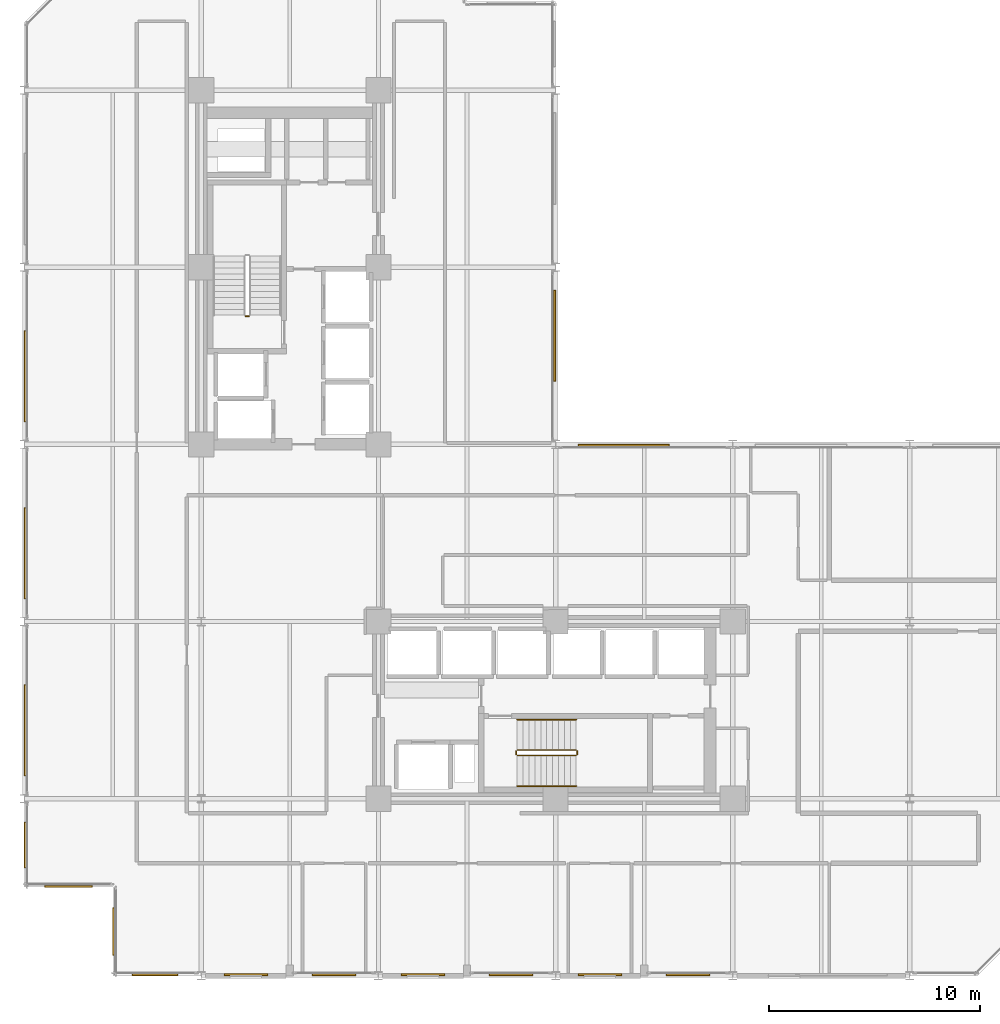
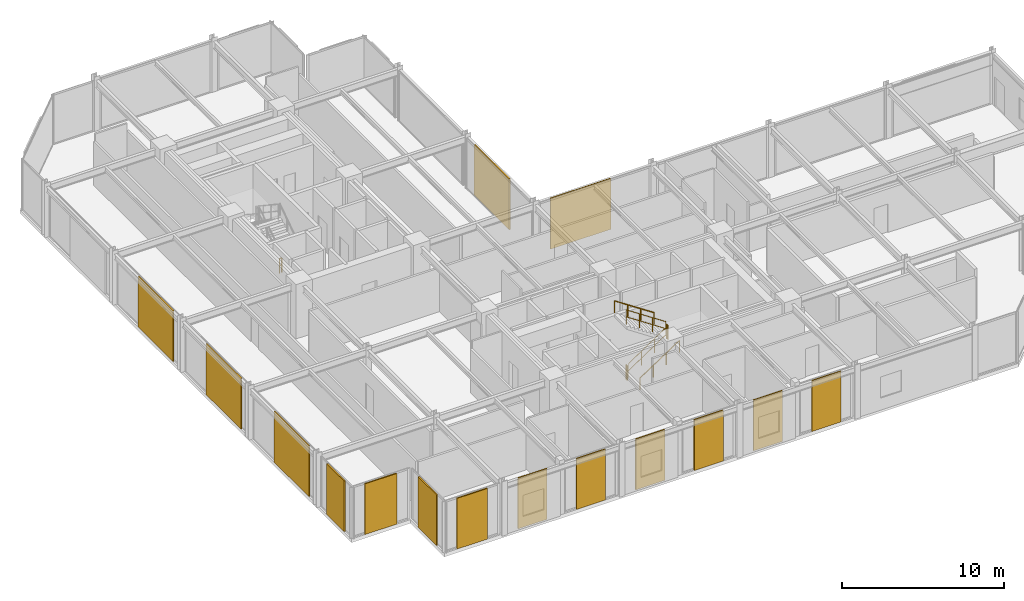
# One storey, part 36 of 38: 15 coverings, 7 railings.
"""IFC4 building model written with IfcOpenShell, lengths in metres."""

from ifc_helpers import new_model, si_unit, direction, frame, origin, origin_2d, place, context, subcontext, project, spatial, rectangle, circle, extrude, material, layer, layer_set, type_object, element, save


model = new_model("IFC4")

# Units and contexts
model_context = context("Model", 3, precision=1e-05, world=origin(), true_north=direction((0.0, 1.0)))
body_context = subcontext(model_context, "Body", "Model", "MODEL_VIEW")
ifc_project = project(units=[si_unit("LENGTHUNIT", "METRE"), si_unit("AREAUNIT", "SQUARE_METRE"), si_unit("VOLUMEUNIT", "CUBIC_METRE"), si_unit("PLANEANGLEUNIT", "RADIAN"), si_unit("MASSUNIT", "GRAM", prefix="KILO")], contexts=[model_context])

# Site, building, storey
site_placement = place(None, origin())
site = spatial("IfcSite", under=ifc_project, at=site_placement, CompositionType="ELEMENT")
building_placement = place(site_placement, origin())
building = spatial("IfcBuilding", under=site, at=building_placement, Name="Nerrivon Quay Data Exchange", CompositionType="ELEMENT")
storey_placement = place(building_placement, frame((0.0, 0.0, 88.5)))
storey = spatial("IfcBuildingStorey", under=building, at=storey_placement, Name="L20", CompositionType="ELEMENT", Elevation=88.5)

# Coverings
ifc_material_1 = material(Name="Architectural terracotta ceramic", Category="masonry")
ifc_layer = layer(ifc_material_1, 0.090087890625)
ifc_layer_set = layer_set([ifc_layer], Name="Architectural terracotta ceramic")
covering_type = type_object("IfcCoveringType", Name="COV-SCR-TERR", PredefinedType="CLADDING", material=ifc_layer_set)
covering_1_placement = place(storey_placement, frame((31.487548828125, 0.044921875, 0.0), z_axis=(0.0, 0.0, 1.0), x_axis=(-1.0, 0.0, 0.0)))
element("IfcCovering", 1, at=covering_1_placement, inside=storey, type_object=covering_type, Name="L20 Perforated Terracotta SOLAR SCREEN Cassette", PredefinedType="CLADDING", context=body_context, shape_type="SweptSolid", body=[
    extrude(rectangle(XDim=2.06494140625, YDim=0.090087890625, at=origin_2d()), origin(), (0.0, 0.0, 1.0), 3.824951171875),
])
covering_2_placement = place(storey_placement, frame((27.3125, 0.044921875, 0.0), z_axis=(0.0, 0.0, 1.0), x_axis=(-1.0, 0.0, 0.0)))
element("IfcCovering", 2, at=covering_2_placement, inside=storey, type_object=covering_type, Name="L20 Perforated Terracotta SOLAR SCREEN Cassette", PredefinedType="CLADDING", context=body_context, shape_type="SweptSolid", body=[
    extrude(rectangle(XDim=2.06591796875, YDim=0.090087890625, at=origin_2d()), origin(), (0.0, 0.0, 1.0), 3.824951171875),
])
for number, where, z_axis, x_axis, name in (
    (3, (23.08740234375, 0.044921875, 0.0), (0.0, 0.0, 1.0), (-1.0, 0.0, 0.0), "L20 Perforated Terracotta SOLAR SCREEN Cassette"),
    (4, (18.91259765625, 0.044921875, 0.0), (0.0, 0.0, 1.0), (-1.0, 0.0, 0.0), "L20 Perforated Terracotta SOLAR SCREEN Cassette"),
):
    element("IfcCovering", number, at=place(storey_placement, frame(where, z_axis=z_axis, x_axis=x_axis)), inside=storey, type_object=covering_type, Name=name, PredefinedType="CLADDING", context=body_context, shape_type="SweptSolid", body=[
        extrude(rectangle(XDim=2.06494140625, YDim=0.090087890625, at=origin_2d()), origin(), (0.0, 0.0, 1.0), 3.824951171875),
    ])
for number, where, z_axis, x_axis, name in (
    (5, (14.6875, 0.044921875, 0.0), (0.0, 0.0, 1.0), (-1.0, 0.0, 0.0), "L20 Perforated Terracotta SOLAR SCREEN Cassette"),
    (6, (10.512451171875, 0.044921875, 0.0), (0.0, 0.0, 1.0), (-1.0, 0.0, 0.0), "L20 Perforated Terracotta SOLAR SCREEN Cassette"),
):
    element("IfcCovering", number, at=place(storey_placement, frame(where, z_axis=z_axis, x_axis=x_axis)), inside=storey, type_object=covering_type, Name=name, PredefinedType="CLADDING", context=body_context, shape_type="SweptSolid", body=[
        extrude(rectangle(XDim=2.06591796875, YDim=0.090087890625, at=origin_2d()), origin(), (0.0, 0.0, 1.0), 3.824951171875),
    ])
covering_3_placement = place(storey_placement, frame((6.199951171875, 0.044921875, 0.0), z_axis=(0.0, 0.0, 1.0), x_axis=(-1.0, 0.0, 0.0)))
element("IfcCovering", 7, at=covering_3_placement, inside=storey, type_object=covering_type, Name="L20 Perforated Terracotta SOLAR SCREEN Cassette", PredefinedType="CLADDING", context=body_context, shape_type="SweptSolid", body=[
    extrude(rectangle(XDim=2.159912109375, YDim=0.090087890625, at=origin_2d()), origin(), (0.0, 0.0, 1.0), 3.824951171875),
])
for number, where, z_axis, x_axis, name in (
    (8, (4.2451171875, 2.10009765625, 0.0), (0.0, 0.0, 1.0), (0.0, 1.0, 0.0), "L20 Perforated Terracotta SOLAR SCREEN Cassette"),
    (9, (2.10009765625, 4.2451171875, 0.0), (0.0, 0.0, 1.0), (-1.0, 0.0, 0.0), "L20 Perforated Terracotta SOLAR SCREEN Cassette"),
):
    element("IfcCovering", number, at=place(storey_placement, frame(where, z_axis=z_axis, x_axis=x_axis)), inside=storey, type_object=covering_type, Name=name, PredefinedType="CLADDING", context=body_context, shape_type="SweptSolid", body=[
        extrude(rectangle(XDim=2.26806640625, YDim=0.090087890625, at=origin_2d()), origin(), (0.0, 0.0, 1.0), 3.824951171875),
    ])
covering_4_placement = place(storey_placement, frame((0.044921875, 6.199951171875, 0.0), z_axis=(0.0, 0.0, 1.0), x_axis=(0.0, 1.0, 0.0)))
element("IfcCovering", 10, at=covering_4_placement, inside=storey, type_object=covering_type, Name="L20 Perforated Terracotta SOLAR SCREEN Cassette", PredefinedType="CLADDING", context=body_context, shape_type="SweptSolid", body=[
    extrude(rectangle(XDim=2.159912109375, YDim=0.090087890625, at=origin_2d()), origin(), (0.0, 0.0, 1.0), 3.824951171875),
])
for number, where, z_axis, x_axis, name in (
    (11, (0.044921875, 11.639892578125, 0.0), (0.0, 0.0, 1.0), (0.0, 1.0, 0.0), "L20 Perforated Terracotta SOLAR SCREEN Cassette"),
    (12, (0.044921875, 20.0400390625, 0.0), (0.0, 0.0, 1.0), (0.0, 1.0, 0.0), "L20 Perforated Terracotta SOLAR SCREEN Cassette"),
    (13, (0.044921875, 28.43994140625, 0.0), (0.0, 0.0, 1.0), (0.0, 1.0, 0.0), "L20 Perforated Terracotta SOLAR SCREEN Cassette"),
    (14, (25.155029296875, 30.360107421875, 0.0), (0.0, 0.0, 1.0), (0.0, -1.0, 0.0), "L20 Perforated Terracotta SOLAR SCREEN Cassette"),
    (15, (28.43994140625, 25.155029296875, 0.0), (0.0, 0.0, 1.0), (1.0, 0.0, 0.0), "L20 Perforated Terracotta SOLAR SCREEN Cassette"),
):
    element("IfcCovering", number, at=place(storey_placement, frame(where, z_axis=z_axis, x_axis=x_axis)), inside=storey, type_object=covering_type, Name=name, PredefinedType="CLADDING", context=body_context, shape_type="SweptSolid", body=[
        extrude(rectangle(XDim=4.320068359375, YDim=0.090087890625, at=origin_2d()), origin(), (0.0, 0.0, 1.0), 3.824951171875),
    ])

# Railings
ifc_material_2 = material(Name="Steel Grade C350L0 (350 MPa)", Category="steel")
railing_type_1 = type_object("IfcRailingType", Name="RAIL-HAND-HR1", PredefinedType="HANDRAIL", material=ifc_material_2)
railing_1_placement = place(storey_placement, frame((23.3798828125, 9.0, 0.186279296875)))
element("IfcRailing", 16, at=railing_1_placement, inside=storey, type_object=railing_type_1, Name="L20 ST02 stair handrail 1", PredefinedType="HANDRAIL", context=body_context, shape_type="SweptSolid", body=[
    extrude(circle(Radius=0.02392578125, at=origin_2d()), frame((0.0, 0.0, 0.8759765625), z_axis=(0.832452072856, 0.0, 0.554097055034), x_axis=(0.0, 1.0, 0.0)), (0.0, 0.0, 1.0), 3.363525390625),
    extrude(circle(Radius=0.02099609375, at=origin_2d()), origin(), (0.0, 0.0, 1.0), 0.851806640625),
    extrude(circle(Radius=0.02099609375, at=origin_2d()), frame((0.933349609375, 0.0, 0.621337890625)), (0.0, 0.0, 1.0), 0.851806640625),
    extrude(circle(Radius=0.02099609375, at=origin_2d()), frame((1.86669921875, 0.0, 1.242431640625)), (0.0, 0.0, 1.0), 0.851806640625),
    extrude(circle(Radius=0.02099609375, at=origin_2d()), frame((2.800048828125, 0.0, 1.86376953125)), (0.0, 0.0, 1.0), 0.851806640625),
])
railing_2_placement = place(storey_placement, frame((26.179931640625, 12.14990234375, 2.236328125)))
element("IfcRailing", 17, at=railing_2_placement, inside=storey, type_object=railing_type_1, Name="L20 ST02 stair handrail 2", PredefinedType="HANDRAIL", context=body_context, shape_type="SweptSolid", body=[
    extrude(circle(Radius=0.02392578125, at=origin_2d()), frame((0.0, 0.0, 0.8759765625), z_axis=(-0.832452072856, 0.0, 0.554097055034), x_axis=(0.0, -1.0, 0.0)), (0.0, 0.0, 1.0), 3.363525390625),
    extrude(circle(Radius=0.02099609375, at=origin_2d()), origin(), (0.0, 0.0, 1.0), 0.851806640625),
    extrude(circle(Radius=0.02099609375, at=origin_2d()), frame((-0.933349609375, 0.0, 0.621337890625)), (0.0, 0.0, 1.0), 0.851806640625),
    extrude(circle(Radius=0.02099609375, at=origin_2d()), frame((-1.86669921875, 0.0, 1.242431640625)), (0.0, 0.0, 1.0), 0.851806640625),
    extrude(circle(Radius=0.02099609375, at=origin_2d()), frame((-2.800048828125, 0.0, 1.86376953125)), (0.0, 0.0, 1.0), 0.851806640625),
])
railing_type_2 = type_object("IfcRailingType", Name="RAIL-STAIR-GR1", PredefinedType="BALUSTRADE", material=ifc_material_2)
railing_3_placement = place(storey_placement, frame((10.64990234375, 31.280029296875, 0.0)))
element("IfcRailing", 18, at=railing_3_placement, inside=storey, type_object=railing_type_2, Name="L20 ST01 stair guard 4", PredefinedType="BALUSTRADE", context=body_context, shape_type="SweptSolid", body=[
    extrude(circle(Radius=0.02392578125, at=origin_2d()), frame((0.0, 0.0, 1.076171875), z_axis=(-1.0, 0.0, 0.0), x_axis=(0.0, -1.0, 0.0)), (0.0, 0.0, 1.0), 0.14990234375),
    extrude(circle(Radius=0.02392578125, at=origin_2d()), frame((0.0, 0.0, 0.550048828125), z_axis=(-1.0, 0.0, 0.0), x_axis=(0.0, -1.0, 0.0)), (0.0, 0.0, 1.0), 0.14990234375),
    extrude(circle(Radius=0.02099609375, at=origin_2d()), origin(), (0.0, 0.0, 1.0), 1.052001953125),
    extrude(circle(Radius=0.02099609375, at=origin_2d()), frame((-0.14990234375, 0.0, 0.0)), (0.0, 0.0, 1.0), 1.052001953125),
])
railing_4_placement = place(storey_placement, frame((23.3798828125, 10.449951171875, 0.186279296875)))
element("IfcRailing", 19, at=railing_4_placement, inside=storey, type_object=railing_type_2, Name="L20 ST02 stair guard 1", PredefinedType="BALUSTRADE", context=body_context, shape_type="SweptSolid", body=[
    extrude(circle(Radius=0.02392578125, at=origin_2d()), frame((0.0, 0.0, 1.076171875), z_axis=(0.832452072856, 0.0, 0.554097055034), x_axis=(0.0, 1.0, 0.0)), (0.0, 0.0, 1.0), 3.363525390625),
    extrude(circle(Radius=0.02392578125, at=origin_2d()), frame((0.0, 0.0, 0.550048828125), z_axis=(0.832452072856, 0.0, 0.554097055034), x_axis=(0.0, 1.0, 0.0)), (0.0, 0.0, 1.0), 3.363525390625),
    extrude(circle(Radius=0.02099609375, at=origin_2d()), origin(), (0.0, 0.0, 1.0), 1.052001953125),
    extrude(circle(Radius=0.02099609375, at=origin_2d()), frame((0.933349609375, 0.0, 0.621337890625)), (0.0, 0.0, 1.0), 1.052001953125),
    extrude(circle(Radius=0.02099609375, at=origin_2d()), frame((1.86669921875, 0.0, 1.242431640625)), (0.0, 0.0, 1.0), 1.052001953125),
    extrude(circle(Radius=0.02099609375, at=origin_2d()), frame((2.800048828125, 0.0, 1.86376953125)), (0.0, 0.0, 1.0), 1.052001953125),
])
railing_5_placement = place(storey_placement, frame((26.22998046875, 10.5, 2.050048828125)))
element("IfcRailing", 20, at=railing_5_placement, inside=storey, type_object=railing_type_2, Name="L20 ST02 stair guard 2", PredefinedType="BALUSTRADE", context=body_context, shape_type="SweptSolid", body=[
    extrude(circle(Radius=0.02392578125, at=origin_2d()), frame((0.0, 0.0, 1.076171875), z_axis=(0.0, 1.0, 0.0), x_axis=(-1.0, 0.0, 0.0)), (0.0, 0.0, 1.0), 0.14990234375),
    extrude(circle(Radius=0.02392578125, at=origin_2d()), frame((0.0, 0.0, 0.550048828125), z_axis=(0.0, 1.0, 0.0), x_axis=(-1.0, 0.0, 0.0)), (0.0, 0.0, 1.0), 0.14990234375),
    extrude(circle(Radius=0.02099609375, at=origin_2d()), origin(), (0.0, 0.0, 1.0), 1.052001953125),
    extrude(circle(Radius=0.02099609375, at=origin_2d()), frame((0.0, 0.14990234375, 0.0)), (0.0, 0.0, 1.0), 1.052001953125),
])
railing_6_placement = place(storey_placement, frame((26.179931640625, 10.699951171875, 2.236328125)))
element("IfcRailing", 21, at=railing_6_placement, inside=storey, type_object=railing_type_2, Name="L20 ST02 stair guard 3", PredefinedType="BALUSTRADE", context=body_context, shape_type="SweptSolid", body=[
    extrude(circle(Radius=0.02392578125, at=origin_2d()), frame((0.0, 0.0, 1.076171875), z_axis=(-0.832452072856, 0.0, 0.554097055034), x_axis=(0.0, -1.0, 0.0)), (0.0, 0.0, 1.0), 3.363525390625),
    extrude(circle(Radius=0.02392578125, at=origin_2d()), frame((0.0, 0.0, 0.550048828125), z_axis=(-0.832452072856, 0.0, 0.554097055034), x_axis=(0.0, -1.0, 0.0)), (0.0, 0.0, 1.0), 3.363525390625),
    extrude(circle(Radius=0.02099609375, at=origin_2d()), origin(), (0.0, 0.0, 1.0), 1.052001953125),
    extrude(circle(Radius=0.02099609375, at=origin_2d()), frame((-0.933349609375, 0.0, 0.621337890625)), (0.0, 0.0, 1.0), 1.052001953125),
    extrude(circle(Radius=0.02099609375, at=origin_2d()), frame((-1.86669921875, 0.0, 1.242431640625)), (0.0, 0.0, 1.0), 1.052001953125),
    extrude(circle(Radius=0.02099609375, at=origin_2d()), frame((-2.800048828125, 0.0, 1.86376953125)), (0.0, 0.0, 1.0), 1.052001953125),
])
railing_7_placement = place(storey_placement, frame((23.330078125, 10.5, 0.0)))
element("IfcRailing", 22, at=railing_7_placement, inside=storey, type_object=railing_type_2, Name="L20 ST02 stair guard 4", PredefinedType="BALUSTRADE", context=body_context, shape_type="SweptSolid", body=[
    extrude(circle(Radius=0.02392578125, at=origin_2d()), frame((0.0, 0.0, 1.076171875), z_axis=(0.0, 1.0, 0.0), x_axis=(-1.0, 0.0, 0.0)), (0.0, 0.0, 1.0), 0.14990234375),
    extrude(circle(Radius=0.02392578125, at=origin_2d()), frame((0.0, 0.0, 0.550048828125), z_axis=(0.0, 1.0, 0.0), x_axis=(-1.0, 0.0, 0.0)), (0.0, 0.0, 1.0), 0.14990234375),
    extrude(circle(Radius=0.02099609375, at=origin_2d()), origin(), (0.0, 0.0, 1.0), 1.052001953125),
    extrude(circle(Radius=0.02099609375, at=origin_2d()), frame((0.0, 0.14990234375, 0.0)), (0.0, 0.0, 1.0), 1.052001953125),
])

save(model, "model.ifc")
